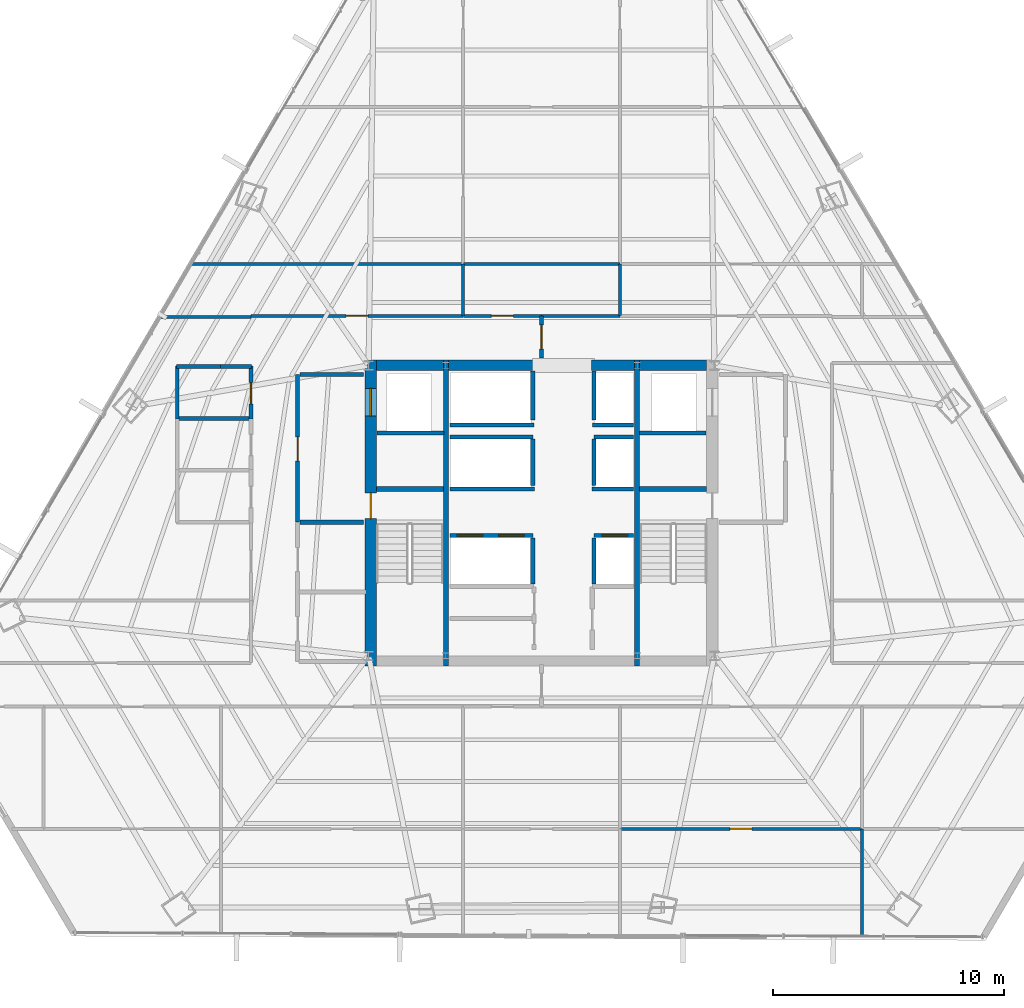
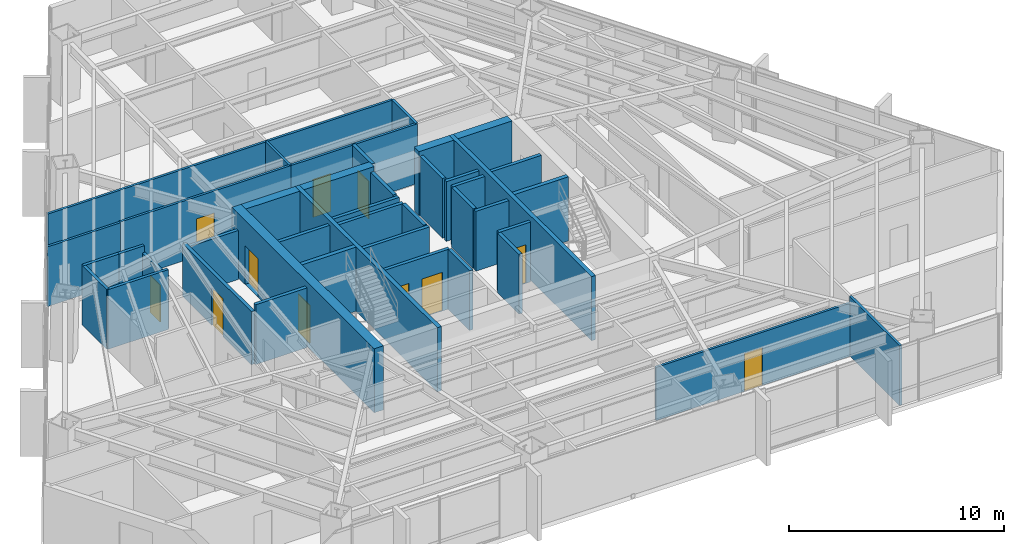
# One storey, part 30 of 35: 44 walls, 11 doors, 11 openings.
"""IFC4 building model written with IfcOpenShell, lengths in metres."""

from ifc_helpers import new_model, si_unit, direction, frame, frame_2d, origin, place, context, subcontext, project, spatial, rectangle, extrude, material, layer, layer_set, type_object, element, fill, save


model = new_model("IFC4")

# Units and contexts
model_context = context("Model", 3, precision=1e-05, world=origin(), true_north=direction((0.0, 1.0)))
body_context = subcontext(model_context, "Body", "Model", "MODEL_VIEW")
ifc_project = project(units=[si_unit("LENGTHUNIT", "METRE"), si_unit("AREAUNIT", "SQUARE_METRE"), si_unit("VOLUMEUNIT", "CUBIC_METRE"), si_unit("PLANEANGLEUNIT", "RADIAN"), si_unit("MASSUNIT", "GRAM", prefix="KILO")], contexts=[model_context])

# Site, building, storey
site_placement = place(None, origin())
site = spatial("IfcSite", under=ifc_project, at=site_placement, CompositionType="ELEMENT")
building_placement = place(site_placement, origin())
building = spatial("IfcBuilding", under=site, at=building_placement, Name="Caelisora Broadcast Tower", CompositionType="ELEMENT")
storey_placement = place(building_placement, frame((0.0, 0.0, 109.050048828125)))
storey = spatial("IfcBuildingStorey", under=building, at=storey_placement, Name="L28", CompositionType="ELEMENT", Elevation=109.050048828125)

# Wall, openings, doors
ifc_material_1 = material(Name="Concrete 50 MPa (AS 3600 S50)", Category="concrete")
ifc_layer_1 = layer(ifc_material_1, 0.5, Name="Concrete 50 MPa (AS 3600 S50)")
ifc_layer_set_1 = layer_set([ifc_layer_1], Name="Concrete 50 MPa (AS 3600 S50)")
wall_type_1 = type_object("IfcWallType", Name="CW2", PredefinedType="SHEAR", material=ifc_layer_set_1)
wall_1_placement = place(storey_placement, frame((30.590087890625, 16.949951171875, 0.0), z_axis=(0.0, 0.0, 1.0), x_axis=(0.0, 1.0, 0.0)))
wall_1 = element("IfcWall", 1, at=wall_1_placement, inside=storey, type_object=wall_type_1, Name="L28 core shear wall CW2", PredefinedType="SHEAR", context=body_context, shape_type="SweptSolid", body=[
    extrude(rectangle(XDim=13.275146484375, YDim=0.5, at=frame_2d((6.6376953125, 0.0))), origin(), (0.0, 0.0, 1.0), 3.64990234375),
])
opening_1_placement = place(wall_1_placement, frame((6.39990234375, 0.0, 0.0)))
opening_1 = element("IfcOpeningElement", 2, at=opening_1_placement, cuts=wall_1, Name="Opening FD04", PredefinedType="OPENING", context=body_context, shape_type="SweptSolid", body=[
    extrude(rectangle(XDim=1.1201171875, YDim=2.14990234375, at=frame_2d((0.56005859375, 1.074951171875))), frame((0.0, 0.261962890625, 0.0), z_axis=(0.0, -1.0, 0.0), x_axis=(1.0, 0.0, 0.0)), (0.0, 0.0, 1.0), 0.52392578125),
])
opening_2_placement = place(wall_1_placement, frame((10.85009765625, 0.0, 0.0)))
opening_2 = element("IfcOpeningElement", 3, at=opening_2_placement, cuts=wall_1, Name="Opening LD04", PredefinedType="OPENING", context=body_context, shape_type="SweptSolid", body=[
    extrude(rectangle(XDim=1.199951171875, YDim=2.199951171875, at=frame_2d((0.60009765625, 1.10009765625))), frame((0.0, 0.261962890625, 0.0), z_axis=(0.0, -1.0, 0.0), x_axis=(1.0, 0.0, 0.0)), (0.0, 0.0, 1.0), 0.52392578125),
])
ifc_material_2 = material(Name="Pressurised Fire-Isolated Stair Door", Category="steel")
door_type_1 = type_object("IfcDoorType", Name="FD04", OperationType="NOTDEFINED", PredefinedType="DOOR", material=ifc_material_2)
door_1_placement = place(opening_1_placement, origin())
door_1 = element("IfcDoor", 4, at=door_1_placement, inside=storey, type_object=door_type_1, Name="L28 door FD04 (L28-DR-ST1)", OperationType="SINGLE_SWING_LEFT", OverallHeight=2.14990234375, OverallWidth=1.1201171875, PredefinedType="DOOR", context=body_context, shape_type="SweptSolid", body=[
    extrude(rectangle(XDim=1.1201171875, YDim=2.14990234375, at=frame_2d((0.56005859375, 1.074951171875))), frame((0.0, 0.02490234375, 0.0), z_axis=(0.0, -1.0, 0.0), x_axis=(1.0, 0.0, 0.0)), (0.0, 0.0, 1.0), 0.050048828125),
])
fill(opening_1, door_1)
ifc_material_3 = material(Name="Emergency Firefighting Lift Sliding Landing Door", Category="steel")
door_type_2 = type_object("IfcDoorType", Name="LD04", OperationType="NOTDEFINED", PredefinedType="DOOR", material=ifc_material_3)
door_2_placement = place(opening_2_placement, origin())
door_2 = element("IfcDoor", 5, at=door_2_placement, inside=storey, type_object=door_type_2, Name="L28 door LD04 (L28-LD-FFL1)", OperationType="SLIDING_TO_LEFT", OverallHeight=2.199951171875, OverallWidth=1.199951171875, PredefinedType="DOOR", context=body_context, shape_type="SweptSolid", body=[
    extrude(rectangle(XDim=1.199951171875, YDim=2.199951171875, at=frame_2d((0.60009765625, 1.10009765625))), frame((0.0, 0.02490234375, 0.0), z_axis=(0.0, -1.0, 0.0), x_axis=(1.0, 0.0, 0.0)), (0.0, 0.0, 1.0), 0.050048828125),
])
fill(opening_2, door_2)

# Walls
ifc_layer_2 = layer(ifc_material_1, 0.449951171875, Name="Concrete 50 MPa (AS 3600 S50)")
ifc_layer_set_2 = layer_set([ifc_layer_2], Name="Concrete 50 MPa (AS 3600 S50)")
wall_type_2 = type_object("IfcWallType", Name="CW5", PredefinedType="SHEAR", material=ifc_layer_set_2)
wall_2_placement = place(storey_placement, frame((30.840087890625, 30.0, 0.0), z_axis=(0.0, 0.0, 1.0), x_axis=(1.0, 0.0, 0.0)))
element("IfcWall", 6, at=wall_2_placement, inside=storey, type_object=wall_type_2, Name="L28 core shear wall CW5", PredefinedType="SHEAR", context=body_context, shape_type="SweptSolid", body=[
    extrude(rectangle(XDim=2.89990234375, YDim=0.449951171875, at=frame_2d((1.449951171875, 0.0))), origin(), (0.0, 0.0, 1.0), 3.64990234375),
])
wall_3_placement = place(storey_placement, frame((33.9599609375, 30.0, 0.0), z_axis=(0.0, 0.0, 1.0), x_axis=(1.0, 0.0, 0.0)))
element("IfcWall", 7, at=wall_3_placement, inside=storey, type_object=wall_type_2, Name="L28 core shear wall CW5", PredefinedType="SHEAR", context=body_context, shape_type="SweptSolid", body=[
    extrude(rectangle(XDim=3.780029296875, YDim=0.449951171875, at=frame_2d((1.89013671875, 0.0))), origin(), (0.0, 0.0, 1.0), 3.64990234375),
])
wall_4_placement = place(storey_placement, frame((40.159912109375, 30.0, 0.0), z_axis=(0.0, 0.0, 1.0), x_axis=(1.0, 0.0, 0.0)))
element("IfcWall", 8, at=wall_4_placement, inside=storey, type_object=wall_type_2, Name="L28 core shear wall CW5", PredefinedType="SHEAR", context=body_context, shape_type="SweptSolid", body=[
    extrude(rectangle(XDim=1.880126953125, YDim=0.449951171875, at=frame_2d((0.93994140625, 0.0))), origin(), (0.0, 0.0, 1.0), 3.64990234375),
])
wall_5_placement = place(storey_placement, frame((42.260009765625, 30.0, 0.0), z_axis=(0.0, 0.0, 1.0), x_axis=(1.0, 0.0, 0.0)))
element("IfcWall", 9, at=wall_5_placement, inside=storey, type_object=wall_type_2, Name="L28 core shear wall CW5", PredefinedType="SHEAR", context=body_context, shape_type="SweptSolid", body=[
    extrude(rectangle(XDim=2.89990234375, YDim=0.449951171875, at=frame_2d((1.449951171875, 0.0))), origin(), (0.0, 0.0, 1.0), 3.64990234375),
])
ifc_layer_3 = layer(ifc_material_1, 0.219970703125, Name="Concrete 50 MPa (AS 3600 S50)")
ifc_layer_set_3 = layer_set([ifc_layer_3], Name="Concrete 50 MPa (AS 3600 S50)")
wall_type_3 = type_object("IfcWallType", Name="CW7", PredefinedType="SHEAR", material=ifc_layer_set_3)
for number, where, z_axis, x_axis, name in (
    (10, (33.85009765625, 16.949951171875, 0.0), (0.0, 0.0, 1.0), (0.0, 1.0, 0.0), "L28 core shear wall CW7"),
    (11, (42.14990234375, 16.949951171875, 0.0), (0.0, 0.0, 1.0), (0.0, 1.0, 0.0), "L28 core shear wall CW7"),
):
    element("IfcWall", number, at=place(storey_placement, frame(where, z_axis=z_axis, x_axis=x_axis)), inside=storey, type_object=wall_type_3, Name=name, PredefinedType="SHEAR", context=body_context, shape_type="SweptSolid", body=[
        extrude(rectangle(XDim=13.275146484375, YDim=0.219970703125, at=frame_2d((6.6376953125, 0.0))), origin(), (0.0, 0.0, 1.0), 3.64990234375),
    ])
for number, where, z_axis, x_axis, name in (
    (12, (30.840087890625, 24.639892578125, 0.0), (0.0, 0.0, 1.0), (1.0, 0.0, 0.0), "L28 core shear wall CW7"),
    (13, (42.260009765625, 24.639892578125, 0.0), (0.0, 0.0, 1.0), (1.0, 0.0, 0.0), "L28 core shear wall CW7"),
):
    element("IfcWall", number, at=place(storey_placement, frame(where, z_axis=z_axis, x_axis=x_axis)), inside=storey, type_object=wall_type_3, Name=name, PredefinedType="SHEAR", context=body_context, shape_type="SweptSolid", body=[
        extrude(rectangle(XDim=2.89990234375, YDim=0.219970703125, at=frame_2d((1.449951171875, 0.0))), origin(), (0.0, 0.0, 1.0), 3.64990234375),
    ])

# Wall, openings, doors
ifc_material_4 = material(Name="Fire-Rated Gypsum Shaft and Compartment Wall", Category="gypsum")
ifc_layer_4 = layer(ifc_material_4, 0.179931640625, Name="Fire-Rated Gypsum Shaft and Compartment Wall")
ifc_layer_set_4 = layer_set([ifc_layer_4], Name="Fire-Rated Gypsum Shaft and Compartment Wall")
wall_type_4 = type_object("IfcWallType", Name="PW2", PredefinedType="PARTITIONING", material=ifc_layer_set_4)
wall_6_placement = place(storey_placement, frame((34.02001953125, 22.6201171875, 0.0), z_axis=(0.0, 0.0, 1.0), x_axis=(1.0, 0.0, 0.0)))
wall_6 = element("IfcWall", 14, at=wall_6_placement, inside=storey, type_object=wall_type_4, Name="L28 fire compartment wall PW2", PredefinedType="PARTITIONING", context=body_context, shape_type="SweptSolid", body=[
    extrude(rectangle(XDim=3.60009765625, YDim=0.179931640625, at=frame_2d((1.800048828125, 0.0))), origin(), (0.0, 0.0, 1.0), 3.39990234375),
])
opening_3_placement = place(wall_6_placement, frame((0.320068359375, 0.0, 0.0)))
opening_3 = element("IfcOpeningElement", 15, at=opening_3_placement, cuts=wall_6, Name="Opening LD01", PredefinedType="OPENING", context=body_context, shape_type="SweptSolid", body=[
    extrude(rectangle(XDim=1.10009765625, YDim=2.199951171875, at=frame_2d((0.550048828125, 1.10009765625))), frame((0.0, 0.10205078125, 0.0), z_axis=(0.0, -1.0, 0.0), x_axis=(1.0, 0.0, 0.0)), (0.0, 0.0, 1.0), 0.203857421875),
])
opening_4_placement = place(wall_6_placement, frame((2.1201171875, 0.0, 0.0)))
opening_4 = element("IfcOpeningElement", 16, at=opening_4_placement, cuts=wall_6, Name="Opening LD01", PredefinedType="OPENING", context=body_context, shape_type="SweptSolid", body=[
    extrude(rectangle(XDim=1.10009765625, YDim=2.199951171875, at=frame_2d((0.550048828125, 1.10009765625))), frame((0.0, 0.10205078125, 0.0), z_axis=(0.0, -1.0, 0.0), x_axis=(1.0, 0.0, 0.0)), (0.0, 0.0, 1.0), 0.203857421875),
])
ifc_material_5 = material(Name="Stainless Steel Centre-Parting Lift Landing Door", Category="steel")
door_type_3 = type_object("IfcDoorType", Name="LD01", OperationType="NOTDEFINED", PredefinedType="DOOR", material=ifc_material_5)
door_3_placement = place(opening_3_placement, origin())
door_3 = element("IfcDoor", 17, at=door_3_placement, inside=storey, type_object=door_type_3, Name="L28 door LD01 (L28-LD-PLL1)", OperationType="SLIDING_TO_LEFT", OverallHeight=2.199951171875, OverallWidth=1.10009765625, PredefinedType="DOOR", context=body_context, shape_type="SweptSolid", body=[
    extrude(rectangle(XDim=1.10009765625, YDim=2.199951171875, at=frame_2d((0.550048828125, 1.10009765625))), frame((0.0, 0.02490234375, 0.0), z_axis=(0.0, -1.0, 0.0), x_axis=(1.0, 0.0, 0.0)), (0.0, 0.0, 1.0), 0.050048828125),
])
fill(opening_3, door_3)
door_4_placement = place(opening_4_placement, origin())
door_4 = element("IfcDoor", 18, at=door_4_placement, inside=storey, type_object=door_type_3, Name="L28 door LD01 (L28-LD-PLL2)", OperationType="SLIDING_TO_RIGHT", OverallHeight=2.199951171875, OverallWidth=1.10009765625, PredefinedType="DOOR", context=body_context, shape_type="SweptSolid", body=[
    extrude(rectangle(XDim=1.10009765625, YDim=2.199951171875, at=frame_2d((0.550048828125, 1.10009765625))), frame((0.0, 0.02490234375, 0.0), z_axis=(0.0, -1.0, 0.0), x_axis=(1.0, 0.0, 0.0)), (0.0, 0.0, 1.0), 0.050048828125),
])
fill(opening_4, door_4)

# Wall, opening, door
wall_7_placement = place(storey_placement, frame((40.280029296875, 22.6201171875, 0.0), z_axis=(0.0, 0.0, 1.0), x_axis=(1.0, 0.0, 0.0)))
wall_7 = element("IfcWall", 19, at=wall_7_placement, inside=storey, type_object=wall_type_4, Name="L28 fire compartment wall PW2", PredefinedType="PARTITIONING", context=body_context, shape_type="SweptSolid", body=[
    extrude(rectangle(XDim=1.699951171875, YDim=0.179931640625, at=frame_2d((0.85009765625, 0.0))), origin(), (0.0, 0.0, 1.0), 3.39990234375),
])
opening_5_placement = place(wall_7_placement, frame((0.35009765625, 0.0, 0.0)))
opening_5 = element("IfcOpeningElement", 20, at=opening_5_placement, cuts=wall_7, Name="Opening LD01", PredefinedType="OPENING", context=body_context, shape_type="SweptSolid", body=[
    extrude(rectangle(XDim=1.10009765625, YDim=2.199951171875, at=frame_2d((0.550048828125, 1.10009765625))), frame((0.0, 0.10205078125, 0.0), z_axis=(0.0, -1.0, 0.0), x_axis=(1.0, 0.0, 0.0)), (0.0, 0.0, 1.0), 0.203857421875),
])
door_5_placement = place(opening_5_placement, origin())
door_5 = element("IfcDoor", 21, at=door_5_placement, inside=storey, type_object=door_type_3, Name="L28 door LD01 (L28-LD-PLL3)", OperationType="SLIDING_TO_LEFT", OverallHeight=2.199951171875, OverallWidth=1.10009765625, PredefinedType="DOOR", context=body_context, shape_type="SweptSolid", body=[
    extrude(rectangle(XDim=1.10009765625, YDim=2.199951171875, at=frame_2d((0.550048828125, 1.10009765625))), frame((0.0, 0.02490234375, 0.0), z_axis=(0.0, -1.0, 0.0), x_axis=(1.0, 0.0, 0.0)), (0.0, 0.0, 1.0), 0.050048828125),
])
fill(opening_5, door_5)

# Walls
for number, where, z_axis, x_axis, name in (
    (22, (37.6201171875, 20.52001953125, 0.0), (0.0, 0.0, 1.0), (0.0, 1.0, 0.0), "L28 fire compartment wall PW2"),
    (23, (40.280029296875, 20.52001953125, 0.0), (0.0, 0.0, 1.0), (0.0, 1.0, 0.0), "L28 fire compartment wall PW2"),
):
    element("IfcWall", number, at=place(storey_placement, frame(where, z_axis=z_axis, x_axis=x_axis)), inside=storey, type_object=wall_type_4, Name=name, PredefinedType="PARTITIONING", context=body_context, shape_type="SweptSolid", body=[
        extrude(rectangle(XDim=2.0, YDim=0.179931640625, at=frame_2d((1.0, 0.0))), origin(), (0.0, 0.0, 1.0), 3.39990234375),
    ])
wall_8_placement = place(storey_placement, frame((34.02001953125, 26.89990234375, 0.0), z_axis=(0.0, 0.0, 1.0), x_axis=(1.0, 0.0, 0.0)))
element("IfcWall", 24, at=wall_8_placement, inside=storey, type_object=wall_type_4, Name="L28 fire compartment wall PW2", PredefinedType="PARTITIONING", context=body_context, shape_type="SweptSolid", body=[
    extrude(rectangle(XDim=3.60009765625, YDim=0.179931640625, at=frame_2d((1.800048828125, 0.0))), origin(), (0.0, 0.0, 1.0), 3.39990234375),
])
wall_9_placement = place(storey_placement, frame((40.280029296875, 26.89990234375, 0.0), z_axis=(0.0, 0.0, 1.0), x_axis=(1.0, 0.0, 0.0)))
element("IfcWall", 25, at=wall_9_placement, inside=storey, type_object=wall_type_4, Name="L28 fire compartment wall PW2", PredefinedType="PARTITIONING", context=body_context, shape_type="SweptSolid", body=[
    extrude(rectangle(XDim=1.699951171875, YDim=0.179931640625, at=frame_2d((0.85009765625, 0.0))), origin(), (0.0, 0.0, 1.0), 3.39990234375),
])
for number, where, z_axis, x_axis, name in (
    (26, (37.6201171875, 24.800048828125, 0.0), (0.0, 0.0, 1.0), (0.0, 1.0, 0.0), "L28 fire compartment wall PW2"),
    (27, (40.280029296875, 24.800048828125, 0.0), (0.0, 0.0, 1.0), (0.0, 1.0, 0.0), "L28 fire compartment wall PW2"),
):
    element("IfcWall", number, at=place(storey_placement, frame(where, z_axis=z_axis, x_axis=x_axis)), inside=storey, type_object=wall_type_4, Name=name, PredefinedType="PARTITIONING", context=body_context, shape_type="SweptSolid", body=[
        extrude(rectangle(XDim=2.0, YDim=0.179931640625, at=frame_2d((1.0, 0.0))), origin(), (0.0, 0.0, 1.0), 3.39990234375),
    ])
wall_10_placement = place(storey_placement, frame((34.02001953125, 24.639892578125, 0.0), z_axis=(0.0, 0.0, 1.0), x_axis=(1.0, 0.0, 0.0)))
element("IfcWall", 28, at=wall_10_placement, inside=storey, type_object=wall_type_4, Name="L28 fire compartment wall PW2", PredefinedType="PARTITIONING", context=body_context, shape_type="SweptSolid", body=[
    extrude(rectangle(XDim=3.679931640625, YDim=0.179931640625, at=frame_2d((1.83984375, 0.0))), origin(), (0.0, 0.0, 1.0), 3.39990234375),
])
wall_11_placement = place(storey_placement, frame((40.199951171875, 24.639892578125, 0.0), z_axis=(0.0, 0.0, 1.0), x_axis=(1.0, 0.0, 0.0)))
element("IfcWall", 29, at=wall_11_placement, inside=storey, type_object=wall_type_4, Name="L28 fire compartment wall PW2", PredefinedType="PARTITIONING", context=body_context, shape_type="SweptSolid", body=[
    extrude(rectangle(XDim=1.780029296875, YDim=0.179931640625, at=frame_2d((0.89013671875, 0.0))), origin(), (0.0, 0.0, 1.0), 3.39990234375),
])
wall_12_placement = place(storey_placement, frame((34.02001953125, 27.419921875, 0.0), z_axis=(0.0, 0.0, 1.0), x_axis=(1.0, 0.0, 0.0)))
element("IfcWall", 30, at=wall_12_placement, inside=storey, type_object=wall_type_4, Name="L28 fire compartment wall PW2", PredefinedType="PARTITIONING", context=body_context, shape_type="SweptSolid", body=[
    extrude(rectangle(XDim=3.659912109375, YDim=0.179931640625, at=frame_2d((1.830078125, 0.0))), origin(), (0.0, 0.0, 1.0), 3.39990234375),
])
wall_13_placement = place(storey_placement, frame((40.219970703125, 27.419921875, 0.0), z_axis=(0.0, 0.0, 1.0), x_axis=(1.0, 0.0, 0.0)))
element("IfcWall", 31, at=wall_13_placement, inside=storey, type_object=wall_type_4, Name="L28 fire compartment wall PW2", PredefinedType="PARTITIONING", context=body_context, shape_type="SweptSolid", body=[
    extrude(rectangle(XDim=1.760009765625, YDim=0.179931640625, at=frame_2d((0.8798828125, 0.0))), origin(), (0.0, 0.0, 1.0), 3.39990234375),
])
for number, where, z_axis, x_axis, name in (
    (32, (37.6201171875, 27.639892578125, 0.0), (0.0, 0.0, 1.0), (0.0, 1.0, 0.0), "L28 fire compartment wall PW2"),
    (33, (40.280029296875, 27.639892578125, 0.0), (0.0, 0.0, 1.0), (0.0, 1.0, 0.0), "L28 fire compartment wall PW2"),
):
    element("IfcWall", number, at=place(storey_placement, frame(where, z_axis=z_axis, x_axis=x_axis)), inside=storey, type_object=wall_type_4, Name=name, PredefinedType="PARTITIONING", context=body_context, shape_type="SweptSolid", body=[
        extrude(rectangle(XDim=2.110107421875, YDim=0.179931640625, at=frame_2d((1.05517578125, 0.0))), origin(), (0.0, 0.0, 1.0), 3.39990234375),
    ])

# Wall, opening, door
wall_14_placement = place(storey_placement, frame((27.419921875, 23.199951171875, 0.0), z_axis=(0.0, 0.0, 1.0), x_axis=(0.0, 1.0, 0.0)))
wall_14 = element("IfcWall", 34, at=wall_14_placement, inside=storey, type_object=wall_type_4, Name="L28 fire compartment wall PW2", PredefinedType="PARTITIONING", context=body_context, shape_type="SweptSolid", body=[
    extrude(rectangle(XDim=6.400146484375, YDim=0.179931640625, at=frame_2d((3.2001953125, 0.0))), origin(), (0.0, 0.0, 1.0), 3.0263671875),
])
opening_6_placement = place(wall_14_placement, frame((2.64990234375, 0.0, 0.0)))
opening_6 = element("IfcOpeningElement", 35, at=opening_6_placement, cuts=wall_14, Name="Opening FD02", PredefinedType="OPENING", context=body_context, shape_type="SweptSolid", body=[
    extrude(rectangle(XDim=1.050048828125, YDim=2.14990234375, at=frame_2d((0.52490234375, 1.074951171875))), frame((0.0, 0.10205078125, 0.0), z_axis=(0.0, -1.0, 0.0), x_axis=(1.0, 0.0, 0.0)), (0.0, 0.0, 1.0), 0.203857421875),
])
ifc_material_6 = material(Name="Single-Leaf Steel Fire Lobby Door", Category="steel")
door_type_4 = type_object("IfcDoorType", Name="FD02", OperationType="NOTDEFINED", PredefinedType="DOOR", material=ifc_material_6)
door_6_placement = place(opening_6_placement, origin())
door_6 = element("IfcDoor", 36, at=door_6_placement, inside=storey, type_object=door_type_4, Name="L28 door FD02 (L28-DR-P01D1)", OperationType="SINGLE_SWING_RIGHT", OverallHeight=2.14990234375, OverallWidth=1.050048828125, PredefinedType="DOOR", context=body_context, shape_type="SweptSolid", body=[
    extrude(rectangle(XDim=1.050048828125, YDim=2.14990234375, at=frame_2d((0.52490234375, 1.074951171875))), frame((0.0, 0.02490234375, 0.0), z_axis=(0.0, -1.0, 0.0), x_axis=(1.0, 0.0, 0.0)), (0.0, 0.0, 1.0), 0.050048828125),
])
fill(opening_6, door_6)

# Walls
wall_15_placement = place(storey_placement, frame((27.52001953125, 23.199951171875, 0.0), z_axis=(0.0, 0.0, 1.0), x_axis=(1.0, 0.0, 0.0)))
element("IfcWall", 37, at=wall_15_placement, inside=storey, type_object=wall_type_4, Name="L28 fire compartment wall PW2", PredefinedType="PARTITIONING", context=body_context, shape_type="SweptSolid", body=[
    extrude(rectangle(XDim=2.760009765625, YDim=0.179931640625, at=frame_2d((1.3798828125, 0.0))), origin(), (0.0, 0.0, 1.0), 3.39990234375),
])
wall_16_placement = place(storey_placement, frame((27.52001953125, 29.60009765625, 0.0), z_axis=(0.0, 0.0, 1.0), x_axis=(1.0, 0.0, 0.0)))
element("IfcWall", 38, at=wall_16_placement, inside=storey, type_object=wall_type_4, Name="L28 fire compartment wall PW2", PredefinedType="PARTITIONING", context=body_context, shape_type="SweptSolid", body=[
    extrude(rectangle(XDim=2.760009765625, YDim=0.179931640625, at=frame_2d((1.3798828125, 0.0))), origin(), (0.0, 0.0, 1.0), 2.78271484375),
])
for number, where, z_axis, x_axis, name in (
    (39, (30.860107421875, 27.070068359375, 0.0), (0.0, 0.0, 1.0), (1.0, 0.0, 0.0), "L28 fire compartment wall PW2"),
    (40, (42.239990234375, 27.070068359375, 0.0), (0.0, 0.0, 1.0), (1.0, 0.0, 0.0), "L28 fire compartment wall PW2"),
):
    element("IfcWall", number, at=place(storey_placement, frame(where, z_axis=z_axis, x_axis=x_axis)), inside=storey, type_object=wall_type_4, Name=name, PredefinedType="PARTITIONING", context=body_context, shape_type="SweptSolid", body=[
        extrude(rectangle(XDim=2.89990234375, YDim=0.179931640625, at=frame_2d((1.449951171875, 0.0))), origin(), (0.0, 0.0, 1.0), 3.39990234375),
    ])

# Wall, opening, door
wall_17_placement = place(storey_placement, frame((38.0, 30.320068359375, 0.0), z_axis=(0.0, 0.0, 1.0), x_axis=(0.0, 1.0, 0.0)))
wall_17 = element("IfcWall", 41, at=wall_17_placement, inside=storey, type_object=wall_type_4, Name="L28 fire compartment wall PW2", PredefinedType="PARTITIONING", context=body_context, shape_type="SweptSolid", body=[
    extrude(rectangle(XDim=1.824951171875, YDim=0.179931640625, at=frame_2d((0.91259765625, 0.0))), origin(), (0.0, 0.0, 1.0), 3.39990234375),
])
opening_7_placement = place(wall_17_placement, frame((0.387939453125, 0.0, 0.0)))
opening_7 = element("IfcOpeningElement", 42, at=opening_7_placement, cuts=wall_17, Name="Opening FD02", PredefinedType="OPENING", context=body_context, shape_type="SweptSolid", body=[
    extrude(rectangle(XDim=1.050048828125, YDim=2.14990234375, at=frame_2d((0.52490234375, 1.074951171875))), frame((0.0, 0.10205078125, 0.0), z_axis=(0.0, -1.0, 0.0), x_axis=(1.0, 0.0, 0.0)), (0.0, 0.0, 1.0), 0.203857421875),
])
door_7_placement = place(opening_7_placement, origin())
door_7 = element("IfcDoor", 43, at=door_7_placement, inside=storey, type_object=door_type_4, Name="L28 door FD02 (L28-DR-P79D1)", OperationType="SINGLE_SWING_RIGHT", OverallHeight=2.14990234375, OverallWidth=1.050048828125, PredefinedType="DOOR", context=body_context, shape_type="SweptSolid", body=[
    extrude(rectangle(XDim=1.050048828125, YDim=2.14990234375, at=frame_2d((0.52490234375, 1.074951171875))), frame((0.0, 0.02490234375, 0.0), z_axis=(0.0, -1.0, 0.0), x_axis=(1.0, 0.0, 0.0)), (0.0, 0.0, 1.0), 0.050048828125),
])
fill(opening_7, door_7)

# Wall
ifc_material_7 = material(Name="Acoustic Steel-Stud Plasterboard Partition", Category="gypsum")
ifc_layer_5 = layer(ifc_material_7, 0.1298828125, Name="Acoustic Steel-Stud Plasterboard Partition")
ifc_layer_set_5 = layer_set([ifc_layer_5], Name="Acoustic Steel-Stud Plasterboard Partition")
wall_type_5 = type_object("IfcWallType", Name="PW3", PredefinedType="PARTITIONING", material=ifc_layer_set_5)
wall_18_placement = place(storey_placement, frame((22.822021484375, 34.39990234375, 0.0), z_axis=(0.0, 0.0, 1.0), x_axis=(1.0, 0.0, 0.0)))
element("IfcWall", 44, at=wall_18_placement, inside=storey, type_object=wall_type_5, Name="L28 internal partition PW3", PredefinedType="PARTITIONING", context=body_context, shape_type="SweptSolid", body=[
    extrude(rectangle(XDim=11.77294921875, YDim=0.1298828125, at=frame_2d((5.886474609375, 0.0))), origin(), (0.0, 0.0, 1.0), 3.39990234375),
])

# Wall, opening, door
wall_19_placement = place(storey_placement, frame((41.405029296875, 9.89990234375, 0.0), z_axis=(0.0, 0.0, 1.0), x_axis=(1.0, 0.0, 0.0)))
wall_19 = element("IfcWall", 45, at=wall_19_placement, inside=storey, type_object=wall_type_5, Name="L28 internal partition PW3", PredefinedType="PARTITIONING", context=body_context, shape_type="SweptSolid", body=[
    extrude(rectangle(XDim=10.489990234375, YDim=0.1298828125, at=frame_2d((5.2451171875, 0.0))), origin(), (0.0, 0.0, 1.0), 3.0263671875),
])
opening_8_placement = place(wall_19_placement, frame((4.764892578125, 0.0, 0.0)))
opening_8 = element("IfcOpeningElement", 46, at=opening_8_placement, cuts=wall_19, Name="Opening D01", PredefinedType="OPENING", context=body_context, shape_type="SweptSolid", body=[
    extrude(rectangle(XDim=0.9599609375, YDim=2.14990234375, at=frame_2d((0.47998046875, 1.074951171875))), frame((0.0, 0.076904296875, 0.0), z_axis=(0.0, -1.0, 0.0), x_axis=(1.0, 0.0, 0.0)), (0.0, 0.0, 1.0), 0.15380859375),
])
ifc_material_8 = material(Name="Solid-Core Timber Acoustic Office Door", Category="wood")
door_type_5 = type_object("IfcDoorType", Name="D01", OperationType="NOTDEFINED", PredefinedType="DOOR", material=ifc_material_8)
door_8_placement = place(opening_8_placement, origin())
door_8 = element("IfcDoor", 47, at=door_8_placement, inside=storey, type_object=door_type_5, Name="L28 door D01 (L28-DR-P37D1)", OperationType="SINGLE_SWING_RIGHT", OverallHeight=2.14990234375, OverallWidth=0.9599609375, PredefinedType="DOOR", context=body_context, shape_type="SweptSolid", body=[
    extrude(rectangle(XDim=0.9599609375, YDim=2.14990234375, at=frame_2d((0.47998046875, 1.074951171875))), frame((0.0, 0.02490234375, 0.0), z_axis=(0.0, -1.0, 0.0), x_axis=(1.0, 0.0, 0.0)), (0.0, 0.0, 1.0), 0.050048828125),
])
fill(opening_8, door_8)

wall_20_placement = place(storey_placement, frame((25.405029296875, 32.14990234375, 0.0), z_axis=(0.0, 0.0, 1.0), x_axis=(1.0, 0.0, 0.0)))
wall_20 = element("IfcWall", 48, at=wall_20_placement, inside=storey, type_object=wall_type_5, Name="L28 internal partition PW3", PredefinedType="PARTITIONING", context=body_context, shape_type="SweptSolid", body=[
    extrude(rectangle(XDim=9.18994140625, YDim=0.1298828125, at=frame_2d((4.594970703125, 0.0))), origin(), (0.0, 0.0, 1.0), 3.39990234375),
])
opening_9_placement = place(wall_20_placement, frame((4.114990234375, 0.0, 0.0)))
opening_9 = element("IfcOpeningElement", 49, at=opening_9_placement, cuts=wall_20, Name="Opening D01", PredefinedType="OPENING", context=body_context, shape_type="SweptSolid", body=[
    extrude(rectangle(XDim=0.9599609375, YDim=2.14990234375, at=frame_2d((0.47998046875, 1.074951171875))), frame((0.0, 0.076904296875, 0.0), z_axis=(0.0, -1.0, 0.0), x_axis=(1.0, 0.0, 0.0)), (0.0, 0.0, 1.0), 0.15380859375),
])
door_9_placement = place(opening_9_placement, origin())
door_9 = element("IfcDoor", 50, at=door_9_placement, inside=storey, type_object=door_type_5, Name="L28 door D01 (L28-DR-P40D1)", OperationType="SINGLE_SWING_LEFT", OverallHeight=2.14990234375, OverallWidth=0.9599609375, PredefinedType="DOOR", context=body_context, shape_type="SweptSolid", body=[
    extrude(rectangle(XDim=0.9599609375, YDim=2.14990234375, at=frame_2d((0.47998046875, 1.074951171875))), frame((0.0, 0.02490234375, 0.0), z_axis=(0.0, -1.0, 0.0), x_axis=(1.0, 0.0, 0.0)), (0.0, 0.0, 1.0), 0.050048828125),
])
fill(opening_9, door_9)

# Walls
wall_21_placement = place(storey_placement, frame((34.60498046875, 34.39990234375, 0.0), z_axis=(0.0, 0.0, 1.0), x_axis=(1.0, 0.0, 0.0)))
element("IfcWall", 51, at=wall_21_placement, inside=storey, type_object=wall_type_5, Name="L28 internal partition PW3", PredefinedType="PARTITIONING", context=body_context, shape_type="SweptSolid", body=[
    extrude(rectangle(XDim=6.7900390625, YDim=0.1298828125, at=frame_2d((3.39501953125, 0.0))), origin(), (0.0, 0.0, 1.0), 3.39990234375),
])
wall_22_placement = place(storey_placement, frame((51.89990234375, 5.2275390625, 0.0), z_axis=(0.0, 0.0, 1.0), x_axis=(0.0, 1.0, 0.0)))
element("IfcWall", 52, at=wall_22_placement, inside=storey, type_object=wall_type_5, Name="L28 internal partition PW3", PredefinedType="PARTITIONING", context=body_context, shape_type="SweptSolid", body=[
    extrude(rectangle(XDim=4.66748046875, YDim=0.1298828125, at=frame_2d((2.333740234375, 0.0))), origin(), (0.0, 0.0, 1.0), 3.39990234375),
])
wall_23_placement = place(storey_placement, frame((21.474365234375, 32.10009765625, 0.0), z_axis=(0.0, 0.0, 1.0), x_axis=(1.0, 0.0, 0.0)))
element("IfcWall", 53, at=wall_23_placement, inside=storey, type_object=wall_type_5, Name="L28 internal partition PW3", PredefinedType="PARTITIONING", context=body_context, shape_type="SweptSolid", body=[
    extrude(rectangle(XDim=3.920654296875, YDim=0.1298828125, at=frame_2d((1.96044921875, 0.0))), origin(), (0.0, 0.0, 1.0), 3.39990234375),
])

# Wall, opening, door
wall_24_placement = place(storey_placement, frame((34.60498046875, 32.14990234375, 0.0), z_axis=(0.0, 0.0, 1.0), x_axis=(1.0, 0.0, 0.0)))
wall_24 = element("IfcWall", 54, at=wall_24_placement, inside=storey, type_object=wall_type_5, Name="L28 internal partition PW3", PredefinedType="PARTITIONING", context=body_context, shape_type="SweptSolid", body=[
    extrude(rectangle(XDim=3.39013671875, YDim=0.1298828125, at=frame_2d((1.695068359375, 0.0))), origin(), (0.0, 0.0, 1.0), 3.39990234375),
])
opening_10_placement = place(wall_24_placement, frame((1.215087890625, 0.0, 0.0)))
opening_10 = element("IfcOpeningElement", 55, at=opening_10_placement, cuts=wall_24, Name="Opening D01", PredefinedType="OPENING", context=body_context, shape_type="SweptSolid", body=[
    extrude(rectangle(XDim=0.9599609375, YDim=2.14990234375, at=frame_2d((0.47998046875, 1.074951171875))), frame((0.0, 0.076904296875, 0.0), z_axis=(0.0, -1.0, 0.0), x_axis=(1.0, 0.0, 0.0)), (0.0, 0.0, 1.0), 0.15380859375),
])
door_10_placement = place(opening_10_placement, origin())
door_10 = element("IfcDoor", 56, at=door_10_placement, inside=storey, type_object=door_type_5, Name="L28 door D01 (L28-DR-P68D1)", OperationType="SINGLE_SWING_LEFT", OverallHeight=2.14990234375, OverallWidth=0.9599609375, PredefinedType="DOOR", context=body_context, shape_type="SweptSolid", body=[
    extrude(rectangle(XDim=0.9599609375, YDim=2.14990234375, at=frame_2d((0.47998046875, 1.074951171875))), frame((0.0, 0.02490234375, 0.0), z_axis=(0.0, -1.0, 0.0), x_axis=(1.0, 0.0, 0.0)), (0.0, 0.0, 1.0), 0.050048828125),
])
fill(opening_10, door_10)

# Walls
wall_25_placement = place(storey_placement, frame((38.0048828125, 32.14990234375, 0.0), z_axis=(0.0, 0.0, 1.0), x_axis=(1.0, 0.0, 0.0)))
element("IfcWall", 57, at=wall_25_placement, inside=storey, type_object=wall_type_5, Name="L28 internal partition PW3", PredefinedType="PARTITIONING", context=body_context, shape_type="SweptSolid", body=[
    extrude(rectangle(XDim=3.39013671875, YDim=0.1298828125, at=frame_2d((1.695068359375, 0.0))), origin(), (0.0, 0.0, 1.0), 3.39990234375),
])
for number, where, z_axis, x_axis, name in (
    (58, (41.39990234375, 32.155029296875, 0.0), (0.0, 0.0, 1.0), (0.0, 1.0, 0.0), "L28 internal partition PW3"),
    (59, (34.60009765625, 32.155029296875, 0.0), (0.0, 0.0, 1.0), (0.0, 1.0, 0.0), "L28 internal partition PW3"),
):
    element("IfcWall", number, at=place(storey_placement, frame(where, z_axis=z_axis, x_axis=x_axis)), inside=storey, type_object=wall_type_5, Name=name, PredefinedType="PARTITIONING", context=body_context, shape_type="SweptSolid", body=[
        extrude(rectangle(XDim=2.239990234375, YDim=0.1298828125, at=frame_2d((1.1201171875, 0.0))), origin(), (0.0, 0.0, 1.0), 3.39990234375),
    ])
ifc_material_9 = material(Name="Moisture-Resistant Wet Plumbing Service Wall", Category="gypsum")
ifc_layer_6 = layer(ifc_material_9, 0.159912109375, Name="Moisture-Resistant Wet Plumbing Service Wall")
ifc_layer_set_6 = layer_set([ifc_layer_6], Name="Moisture-Resistant Wet Plumbing Service Wall")
wall_type_6 = type_object("IfcWallType", Name="PW4", PredefinedType="PLUMBINGWALL", material=ifc_layer_set_6)
wall_26_placement = place(storey_placement, frame((22.175048828125, 27.699951171875, 0.0), z_axis=(0.0, 0.0, 1.0), x_axis=(1.0, 0.0, 0.0)))
element("IfcWall", 60, at=wall_26_placement, inside=storey, type_object=wall_type_6, Name="L28 wet plumbing wall PW4", PredefinedType="PLUMBINGWALL", context=body_context, shape_type="SweptSolid", body=[
    extrude(rectangle(XDim=3.25, YDim=0.159912109375, at=frame_2d((1.625, 0.0))), origin(), (0.0, 0.0, 1.0), 3.39990234375),
])

# Wall, opening, door
wall_27_placement = place(storey_placement, frame((25.39990234375, 27.675048828125, 0.0), z_axis=(0.0, 0.0, 1.0), x_axis=(0.0, 1.0, 0.0)))
wall_27 = element("IfcWall", 61, at=wall_27_placement, inside=storey, type_object=wall_type_6, Name="L28 wet plumbing wall PW4", PredefinedType="PLUMBINGWALL", context=body_context, shape_type="SweptSolid", body=[
    extrude(rectangle(XDim=2.300048828125, YDim=0.159912109375, at=frame_2d((1.14990234375, 0.0))), origin(), (0.0, 0.0, 1.0), 3.0263671875),
])
opening_11_placement = place(wall_27_placement, frame((0.659912109375, 0.0, 0.0)))
opening_11 = element("IfcOpeningElement", 62, at=opening_11_placement, cuts=wall_27, Name="Opening D03", PredefinedType="OPENING", context=body_context, shape_type="SweptSolid", body=[
    extrude(rectangle(XDim=0.919921875, YDim=2.10009765625, at=frame_2d((0.4599609375, 1.050048828125))), frame((0.0, 0.092041015625, 0.0), z_axis=(0.0, -1.0, 0.0), x_axis=(1.0, 0.0, 0.0)), (0.0, 0.0, 1.0), 0.183837890625),
])
ifc_material_10 = material(Name="Laminate Moisture-Resistant Amenity WC Door", Category="wood")
door_type_6 = type_object("IfcDoorType", Name="D03", OperationType="NOTDEFINED", PredefinedType="DOOR", material=ifc_material_10)
door_11_placement = place(opening_11_placement, origin())
door_11 = element("IfcDoor", 63, at=door_11_placement, inside=storey, type_object=door_type_6, Name="L28 door D03 (L28-DR-P22D1)", OperationType="SINGLE_SWING_LEFT", OverallHeight=2.10009765625, OverallWidth=0.919921875, PredefinedType="DOOR", context=body_context, shape_type="SweptSolid", body=[
    extrude(rectangle(XDim=0.919921875, YDim=2.10009765625, at=frame_2d((0.4599609375, 1.050048828125))), frame((0.0, 0.02490234375, 0.0), z_axis=(0.0, -1.0, 0.0), x_axis=(1.0, 0.0, 0.0)), (0.0, 0.0, 1.0), 0.050048828125),
])
fill(opening_11, door_11)

# Walls
wall_28_placement = place(storey_placement, frame((22.199951171875, 27.675048828125, 0.0), z_axis=(0.0, 0.0, 1.0), x_axis=(0.0, 1.0, 0.0)))
element("IfcWall", 64, at=wall_28_placement, inside=storey, type_object=wall_type_6, Name="L28 wet plumbing wall PW4", PredefinedType="PLUMBINGWALL", context=body_context, shape_type="SweptSolid", body=[
    extrude(rectangle(XDim=2.300048828125, YDim=0.159912109375, at=frame_2d((1.14990234375, 0.0))), origin(), (0.0, 0.0, 1.0), 3.39990234375),
])
wall_29_placement = place(storey_placement, frame((22.175048828125, 29.949951171875, 0.0), z_axis=(0.0, 0.0, 1.0), x_axis=(1.0, 0.0, 0.0)))
element("IfcWall", 65, at=wall_29_placement, inside=storey, type_object=wall_type_6, Name="L28 wet plumbing wall PW4", PredefinedType="PLUMBINGWALL", context=body_context, shape_type="SweptSolid", body=[
    extrude(rectangle(XDim=1.949951171875, YDim=0.159912109375, at=frame_2d((0.97509765625, 0.0))), origin(), (0.0, 0.0, 1.0), 3.39990234375),
])
wall_30_placement = place(storey_placement, frame((24.074951171875, 29.949951171875, 0.0), z_axis=(0.0, 0.0, 1.0), x_axis=(1.0, 0.0, 0.0)))
element("IfcWall", 66, at=wall_30_placement, inside=storey, type_object=wall_type_6, Name="L28 wet plumbing wall PW4", PredefinedType="PLUMBINGWALL", context=body_context, shape_type="SweptSolid", body=[
    extrude(rectangle(XDim=1.35009765625, YDim=0.159912109375, at=frame_2d((0.675048828125, 0.0))), origin(), (0.0, 0.0, 1.0), 3.39990234375),
])

save(model, "model.ifc")
